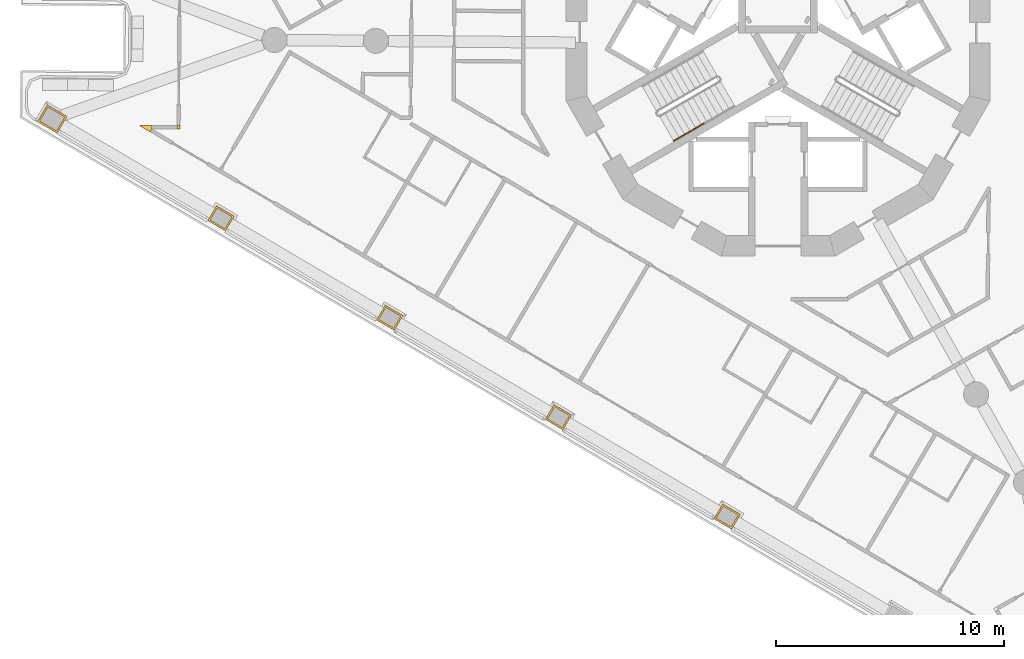
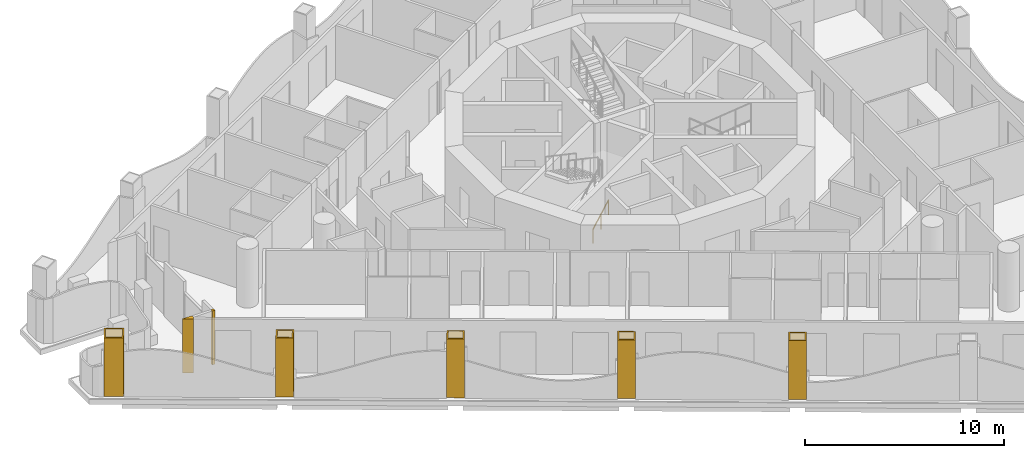
# One storey, part 11 of 17: 7 coverings, 1 railing.
"""IFC4 building model written with IfcOpenShell, lengths in metres."""

from ifc_helpers import new_model, si_unit, direction, frame, origin, origin_2d, place, context, subcontext, project, spatial, polyline, circle, outline, extrude, material, layer, layer_set, type_object, element, save


model = new_model("IFC4")

# Units and contexts
model_context = context("Model", 3, precision=1e-05, world=origin(), true_north=direction((0.0, 1.0)))
body_context = subcontext(model_context, "Body", "Model", "MODEL_VIEW")
ifc_project = project(units=[si_unit("LENGTHUNIT", "METRE"), si_unit("AREAUNIT", "SQUARE_METRE"), si_unit("VOLUMEUNIT", "CUBIC_METRE"), si_unit("PLANEANGLEUNIT", "RADIAN"), si_unit("MASSUNIT", "GRAM", prefix="KILO")], contexts=[model_context])

# Site, building, storey
site_placement = place(None, origin())
site = spatial("IfcSite", under=ifc_project, at=site_placement, CompositionType="ELEMENT")
building_placement = place(site_placement, origin())
building = spatial("IfcBuilding", under=site, at=building_placement, Name="Trine Commons Tower", CompositionType="ELEMENT")
storey_placement = place(building_placement, frame((0.0, 0.0, 179.10009765625)))
storey = spatial("IfcBuildingStorey", under=building, at=storey_placement, Name="L46", CompositionType="ELEMENT", Elevation=179.10009765625)

# Coverings
ifc_material_1 = material(Name="Aluminium-framed insulated wall panel", Category="aluminium")
ifc_layer_1 = layer(ifc_material_1, 0.14990234375)
ifc_layer_set_1 = layer_set([ifc_layer_1], Name="Aluminium-framed insulated wall panel")
covering_type_1 = type_object("IfcCoveringType", Name="Glazing corner post, aluminium", PredefinedType="CLADDING", material=ifc_layer_set_1)
covering_1_placement = place(storey_placement, origin())
element("IfcCovering", 1, at=covering_1_placement, inside=storey, type_object=covering_type_1, Name="Glazing corner post 5-01", PredefinedType="CLADDING", context=body_context, shape_type="SweptSolid", body=[
    extrude(outline(polyline([(52.519775390625, 58.669921875), (52.595947265625, 58.799072265625), (52.59716796875, 58.948974609375), (52.037353515625, 58.953857421875), (52.519775390625, 58.669921875)])), origin(), (0.0, 0.0, 1.0), 3.2998046875),
])
covering_2_placement = place(storey_placement, origin())
element("IfcCovering", 2, at=covering_2_placement, inside=storey, type_object=covering_type_1, Name="Glazing corner post 5-02", PredefinedType="CLADDING", context=body_context, shape_type="SweptSolid", body=[
    extrude(outline(polyline([(53.681640625, 58.78955078125), (53.83154296875, 58.7880859375), (53.8330078125, 58.938232421875), (53.682861328125, 58.939453125), (53.681640625, 58.78955078125)])), origin(), (0.0, 0.0, 1.0), 3.2998046875),
])
ifc_material_2 = material(Name="Limestone, honed", Category="masonry")
ifc_layer_2 = layer(ifc_material_2, 0.074951171875)
ifc_layer_set_2 = layer_set([ifc_layer_2], Name="Limestone, honed")
covering_type_2 = type_object("IfcCoveringType", Name="Limestone column cladding 75", PredefinedType="CLADDING", material=ifc_layer_set_2)
covering_3_placement = place(storey_placement, origin())
element("IfcCovering", 3, at=covering_3_placement, inside=storey, type_object=covering_type_2, Name="Limestone pier cladding 5-03", PredefinedType="CLADDING", context=body_context, shape_type="SweptSolid", body=[
    extrude(outline(polyline([(77.57568359375, 42.384521484375), (77.195068359375, 41.73828125), (77.970703125, 41.281494140625), (78.351318359375, 41.927734375), (77.57568359375, 42.384521484375)]), holes=[polyline([(77.602294921875, 42.28173828125), (77.2978515625, 41.764892578125), (77.944091796875, 41.38427734375), (78.24853515625, 41.901123046875), (77.602294921875, 42.28173828125)])]), origin(), (0.0, 0.0, 1.0), 3.599853515625),
])
covering_4_placement = place(storey_placement, origin())
element("IfcCovering", 4, at=covering_4_placement, inside=storey, type_object=covering_type_2, Name="Limestone pier cladding 5-04", PredefinedType="CLADDING", context=body_context, shape_type="SweptSolid", body=[
    extrude(outline(polyline([(70.191162109375, 46.734375), (69.810302734375, 46.088134765625), (70.5859375, 45.63134765625), (70.966552734375, 46.277587890625), (70.191162109375, 46.734375)]), holes=[polyline([(70.2177734375, 46.631591796875), (69.9130859375, 46.11474609375), (70.559326171875, 45.734130859375), (70.864013671875, 46.251220703125), (70.2177734375, 46.631591796875)])]), origin(), (0.0, 0.0, 1.0), 3.599853515625),
])
covering_5_placement = place(storey_placement, origin())
element("IfcCovering", 5, at=covering_5_placement, inside=storey, type_object=covering_type_2, Name="Limestone pier cladding 5-05", PredefinedType="CLADDING", context=body_context, shape_type="SweptSolid", body=[
    extrude(outline(polyline([(62.806396484375, 51.084228515625), (62.42578125, 50.43798828125), (63.201171875, 49.981201171875), (63.581787109375, 50.62744140625), (62.806396484375, 51.084228515625)]), holes=[polyline([(62.8330078125, 50.981689453125), (62.5283203125, 50.464599609375), (63.174560546875, 50.083984375), (63.479248046875, 50.60107421875), (62.8330078125, 50.981689453125)])]), origin(), (0.0, 0.0, 1.0), 3.599853515625),
])
covering_6_placement = place(storey_placement, origin())
element("IfcCovering", 6, at=covering_6_placement, inside=storey, type_object=covering_type_2, Name="Limestone pier cladding 5-06", PredefinedType="CLADDING", context=body_context, shape_type="SweptSolid", body=[
    extrude(outline(polyline([(55.421630859375, 55.43408203125), (55.041015625, 54.7880859375), (55.81640625, 54.331298828125), (56.197265625, 54.977294921875), (55.421630859375, 55.43408203125)]), holes=[polyline([(55.4482421875, 55.33154296875), (55.143798828125, 54.814453125), (55.789794921875, 54.433837890625), (56.094482421875, 54.950927734375), (55.4482421875, 55.33154296875)])]), origin(), (0.0, 0.0, 1.0), 3.599853515625),
])
covering_7_placement = place(storey_placement, origin())
element("IfcCovering", 7, at=covering_7_placement, inside=storey, type_object=covering_type_2, Name="Limestone pier cladding 5-07", PredefinedType="CLADDING", context=body_context, shape_type="SweptSolid", body=[
    extrude(outline(polyline([(48.019287109375, 59.8525390625), (47.587890625, 59.1201171875), (48.449462890625, 58.612548828125), (48.880859375, 59.344970703125), (48.019287109375, 59.8525390625)]), holes=[polyline([(48.0458984375, 59.75), (47.690673828125, 59.146728515625), (48.423095703125, 58.71533203125), (48.7783203125, 59.318603515625), (48.0458984375, 59.75)])]), origin(), (0.0, 0.0, 1.0), 3.599853515625),
])

# Railing
ifc_material_3 = material(Name="Stainless steel handrail", Category="steel")
railing_type = type_object("IfcRailingType", Name="Stair handrail, steel 900", PredefinedType="HANDRAIL", material=ifc_material_3)
railing_placement = place(storey_placement, frame((75.43017578125, 58.27392578125, 0.14990234375)))
element("IfcRailing", 8, at=railing_placement, inside=storey, type_object=railing_type, Name="L46 ST2B stair handrail 1", PredefinedType="HANDRAIL", context=body_context, shape_type="SweptSolid", body=[
    extrude(circle(Radius=0.02099609375, at=origin_2d()), frame((0.0, 0.0, 0.87890625), z_axis=(0.76340495495, 0.440743040072, 0.472184759798), x_axis=(-0.499992328818, 0.866029832698, 0.0)), (0.0, 0.0, 1.0), 1.7470703125),
    extrude(circle(Radius=0.01513671875, at=origin_2d()), origin(), (0.0, 0.0, 1.0), 0.85791015625),
    extrude(circle(Radius=0.01513671875, at=origin_2d()), frame((0.6669921875, 0.385009765625, 0.41259765625)), (0.0, 0.0, 1.0), 0.85791015625),
    extrude(circle(Radius=0.01513671875, at=origin_2d()), frame((1.333740234375, 0.77001953125, 0.824951171875)), (0.0, 0.0, 1.0), 0.85791015625),
])

save(model, "model.ifc")
